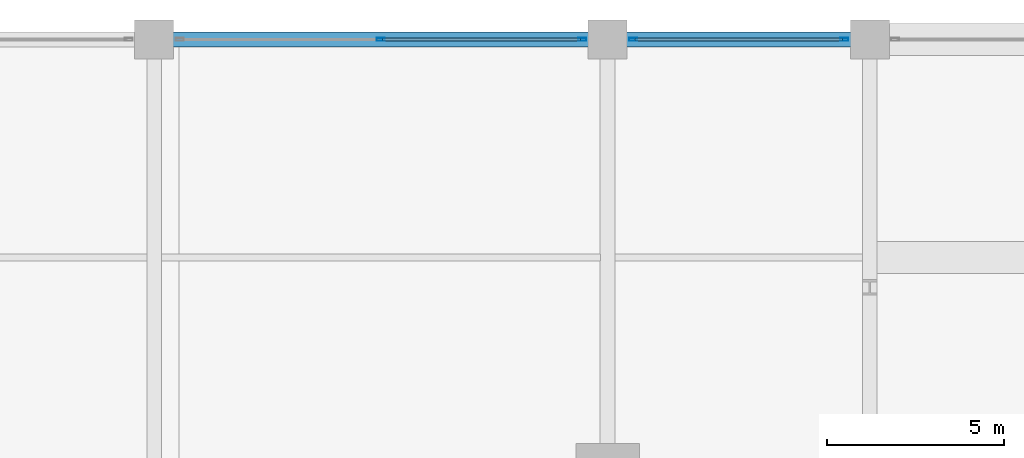
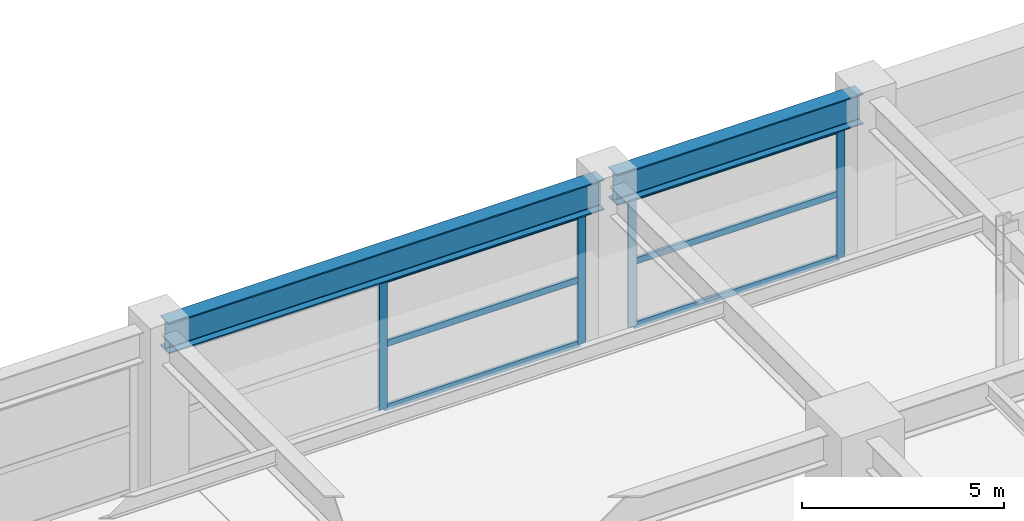
# One storey, part 14 of 35: 10 members, 2 beams, 2 elements without a shape of their own.
"""IFC4 building model written with IfcOpenShell, lengths in metres."""

import ifcopenshell
import ifcopenshell.guid

model = None  # the IFC model being written
_history = None  # IfcOwnerHistory: only IFC2X3 demands one
_inside = {}  # id of a spatial element -> (the spatial element, [elements in it])
_under = {}  # id of a project, library or spatial element -> (it, [spatial elements below it])
_declared = {}  # id of a project -> (the project, [libraries it declares])
_typed = {}  # id of a type object -> (the type object, [elements of that type])
_made_of = {}  # id of a material, layer set ... -> (it, [elements and type objects made of it])


def new_model(schema):
    """Start an empty IFC model of exactly this schema.

    Asked for "IFC4X3", IfcOpenShell would pick the latest addendum, in which some entities
    have other attributes; the version numbers below select the first issue.
    IFC2X3 requires an IfcOwnerHistory on every rooted entity: one is made here for all.
    """
    global model, _history
    if schema == "IFC4X3":
        model = ifcopenshell.file(schema_version=(4, 3, 0, 0))
    else:
        model = ifcopenshell.file(schema=schema)
    _inside.clear()
    _under.clear()
    _declared.clear()
    _typed.clear()
    _made_of.clear()
    _history = None
    if model.schema == "IFC2X3":
        org = make("IfcOrganization", Name="unknown")
        user = make(
            "IfcPersonAndOrganization",
            ThePerson=make("IfcPerson", FamilyName="unknown"),
            TheOrganization=org,
        )
        app = make(
            "IfcApplication",
            ApplicationDeveloper=org,
            Version="unknown",
            ApplicationFullName="unknown",
            ApplicationIdentifier="unknown",
        )
        _history = make(
            "IfcOwnerHistory",
            OwningUser=user,
            OwningApplication=app,
            ChangeAction="ADDED",
            CreationDate=0,
        )
    return model


def make(cls, **values):
    """One entity of the class cls with the attributes given. An attribute that is None is left unset."""
    return model.create_entity(
        cls, **{name: value for name, value in values.items() if value is not None}
    )


def rooted(cls, **values):
    """An entity with a GlobalId (a new one), such as an element, a storey or a relation."""
    return make(cls, GlobalId=ifcopenshell.guid.new(), OwnerHistory=_history, **values)


def si_unit(unit_type, name, prefix=None):
    """IfcSIUnit, for example si_unit("LENGTHUNIT", "METRE", prefix="MILLI")."""
    return make("IfcSIUnit", UnitType=unit_type, Prefix=prefix, Name=name)


def assignment(units):
    """IfcUnitAssignment: the units of a project."""
    return None if units is None else make("IfcUnitAssignment", Units=units)


def point(xyz):
    """IfcCartesianPoint."""
    return None if xyz is None else make("IfcCartesianPoint", Coordinates=xyz)


def direction(xyz):
    """IfcDirection."""
    return None if xyz is None else make("IfcDirection", DirectionRatios=xyz)


def frame(location, z_axis=None, x_axis=None):
    """IfcAxis2Placement3D, a coordinate frame: its origin and axes. An axis left out is left unset."""
    return make(
        "IfcAxis2Placement3D",
        Location=point(location),
        Axis=direction(z_axis),
        RefDirection=direction(x_axis),
    )


def frame_2d(location, x_axis=None):
    """IfcAxis2Placement2D, a coordinate frame in the plane: its origin and x axis."""
    return make(
        "IfcAxis2Placement2D", Location=point(location), RefDirection=direction(x_axis)
    )


def origin():
    """The frame at (0, 0, 0) with its axes left unset."""
    return frame((0.0, 0.0, 0.0))


def origin_2d():
    """The frame at (0, 0) in the plane with its x axis left unset."""
    return frame_2d((0.0, 0.0))


def place(relative_to, where):
    """IfcLocalPlacement: puts the frame where relative to a parent placement (None: the world)."""
    return make(
        "IfcLocalPlacement", PlacementRelTo=relative_to, RelativePlacement=where
    )


def context(
    kind, dimensions, precision=None, world=None, true_north=None, identifier=None
):
    """IfcGeometricRepresentationContext, for example the 3D "Model" context."""
    return make(
        "IfcGeometricRepresentationContext",
        ContextIdentifier=identifier,
        ContextType=kind,
        CoordinateSpaceDimension=dimensions,
        Precision=precision,
        WorldCoordinateSystem=world,
        TrueNorth=true_north,
    )


def subcontext(parent, identifier, kind, view, scale=None):
    """IfcGeometricRepresentationSubContext, for example "Body" below "Model"."""
    return make(
        "IfcGeometricRepresentationSubContext",
        ContextIdentifier=identifier,
        ContextType=kind,
        ParentContext=parent,
        TargetScale=scale,
        TargetView=view,
    )


def project(units=None, contexts=None):
    """IfcProject with its units and contexts."""
    return rooted(
        "IfcProject",
        Name="project",
        RepresentationContexts=contexts,
        UnitsInContext=assignment(units),
    )


def spatial(cls, under=None, at=None, **own):
    """A site, building, storey or space (cls), placed at a placement, below another one or the project."""
    s = rooted(cls, ObjectPlacement=at, **own)
    if under is not None:
        _under.setdefault(under.id(), (under, []))[1].append(s)
    return s


def profile(cls, at=None, kind="AREA", **sizes):
    """A parametric profile (cls). Its sizes go by their IFC names, for example OverallWidth=200.0."""
    return make(cls, ProfileType=kind, Position=at, **sizes)


def hollow_rectangle(**sizes):
    """IfcRectangleHollowProfileDef."""
    return profile("IfcRectangleHollowProfileDef", **sizes)


def i_section(**sizes):
    """IfcIShapeProfileDef."""
    return profile("IfcIShapeProfileDef", **sizes)


def extrude(swept, where, along, depth):
    """IfcExtrudedAreaSolid: the profile swept, set in the frame where, extruded along a direction by depth."""
    return make(
        "IfcExtrudedAreaSolid",
        SweptArea=swept,
        Position=where,
        ExtrudedDirection=direction(along),
        Depth=depth,
    )


def shape(context_of_items, identifier, shape_type, items):
    """IfcShapeRepresentation: the items that make up one representation, for example the "Body"."""
    return make(
        "IfcShapeRepresentation",
        ContextOfItems=context_of_items,
        RepresentationIdentifier=identifier,
        RepresentationType=shape_type,
        Items=items,
    )


def material(Name=None, Category=None):
    """IfcMaterial."""
    return make("IfcMaterial", Name=Name, Category=Category)


def material_profile(
    of_material, cross_section, Name=None, Category=None, Priority=None
):
    """IfcMaterialProfile: a cross section and its material."""
    return make(
        "IfcMaterialProfile",
        Name=Name,
        Material=of_material,
        Profile=cross_section,
        Priority=Priority,
        Category=Category,
    )


def profile_set(profiles, Name=None, composite=None):
    """IfcMaterialProfileSet."""
    return make(
        "IfcMaterialProfileSet",
        Name=Name,
        MaterialProfiles=profiles,
        CompositeProfile=composite,
    )


def made_of(thing, what):
    """Note that an element or type object is made of a material, layer set ...; save() writes the relation."""
    if what is not None:
        _made_of.setdefault(what.id(), (what, []))[1].append(thing)
    return thing


def type_object(cls, material=None, **own):
    """A type object (cls), such as IfcWallType, which elements share."""
    return made_of(rooted(cls, **own), material)


def element(
    cls,
    number,
    at=None,
    inside=None,
    cuts=None,
    type_object=None,
    material=None,
    context=None,
    identifier="Body",
    shape_type=None,
    held_by="IfcProductDefinitionShape",
    body=None,
    shapes=None,
    **own,
):
    """One element of the class cls, such as IfcWall. Its Tag is "e" and its number.

    at: its placement. inside: the storey or other place that contains it. cuts: it is an
    opening in that element (IfcRelVoidsElement). A single representation is given by context,
    identifier, shape_type and body (its items); several are given by shapes. held_by: the class
    of the entity that holds the representations. save() writes the other relations.
    """
    e = rooted(cls, Tag="e%d" % number, ObjectPlacement=at, **own)
    if body is not None:
        shapes = [shape(context, identifier, shape_type, body)]
    if shapes is not None:
        e.Representation = make(held_by, Representations=shapes)
    if inside is not None:
        _inside.setdefault(inside.id(), (inside, []))[1].append(e)
    if cuts is not None:
        rooted(
            "IfcRelVoidsElement", RelatingBuildingElement=cuts, RelatedOpeningElement=e
        )
    if type_object is not None:
        _typed.setdefault(type_object.id(), (type_object, []))[1].append(e)
    return made_of(e, material)


def aggregate(whole, parts):
    """IfcRelAggregates: a whole, such as a stair, and the parts it consists of."""
    return rooted("IfcRelAggregates", RelatingObject=whole, RelatedObjects=parts)


def save(model, path):
    """Write the relations noted so far, then the file.

    IfcRelAggregates (storeys below a building ...), IfcRelContainedInSpatialStructure (elements
    in a storey), IfcRelDefinesByType, IfcRelAssociatesMaterial and IfcRelDeclares: one each for
    every whole, place, type object, material and project.
    """
    for whole, parts in _under.values():
        aggregate(whole, parts)
    for where, things in _inside.values():
        rooted(
            "IfcRelContainedInSpatialStructure",
            RelatedElements=things,
            RelatingStructure=where,
        )
    for kind, things in _typed.values():
        rooted("IfcRelDefinesByType", RelatedObjects=things, RelatingType=kind)
    for what, things in _made_of.values():
        rooted("IfcRelAssociatesMaterial", RelatedObjects=things, RelatingMaterial=what)
    for by, libraries in _declared.values():
        rooted("IfcRelDeclares", RelatingContext=by, RelatedDefinitions=libraries)
    model.write(path)


model = new_model("IFC4")

# Units and contexts
model_context = context("Model", 3, precision=1e-05, world=origin(), true_north=direction((0.0, 1.0)))
body_context = subcontext(model_context, "Body", "Model", "MODEL_VIEW")
ifc_project = project(units=[si_unit("LENGTHUNIT", "METRE"), si_unit("AREAUNIT", "SQUARE_METRE"), si_unit("VOLUMEUNIT", "CUBIC_METRE"), si_unit("PLANEANGLEUNIT", "RADIAN"), si_unit("MASSUNIT", "GRAM", prefix="KILO")], contexts=[model_context])

# Site, building, storey
site_placement = place(None, origin())
site = spatial("IfcSite", under=ifc_project, at=site_placement, CompositionType="ELEMENT")
building_placement = place(site_placement, origin())
building = spatial("IfcBuilding", under=site, at=building_placement, Name="Kovane Verandah Tower", CompositionType="ELEMENT")
storey_placement = place(building_placement, frame((0.0, 0.0, 16.39990234375)))
storey = spatial("IfcBuildingStorey", under=building, at=storey_placement, Name="L03", CompositionType="ELEMENT", Elevation=16.39990234375)

# Beams
ifc_material_1 = material(Name="Steel S460", Category="steel")
ifc_material_profile_1 = material_profile(ifc_material_1, i_section(OverallWidth=0.42041015625, OverallDepth=0.9208984375, WebThickness=0.021484375, FlangeThickness=0.03662109375, FilletRadius=0.024169921875, at=origin_2d()), Name="UB914x419x388")
ifc_profile_set_1 = profile_set([ifc_material_profile_1], Name="Steel S460")
beam_type = type_object("IfcBeamType", Name="BM-UB914x388", PredefinedType="BEAM", material=ifc_profile_set_1)
beam_1_placement = place(storey_placement, frame((8.97998046875, 56.5, 4.439697265625), z_axis=(1.0, 0.0, 0.0), x_axis=(0.0, 1.0, 0.0)))
element("IfcBeam", 1, at=beam_1_placement, inside=storey, type_object=beam_type, Name="L03 Podium Garden Transfer Girder X18", PredefinedType="BEAM", context=body_context, shape_type="SweptSolid", body=[
    extrude(i_section(OverallWidth=0.42041015625, OverallDepth=0.9208984375, WebThickness=0.021484375, FlangeThickness=0.03662109375, FilletRadius=0.024169921875, at=origin_2d()), origin(), (0.0, 0.0, 1.0), 12.43994140625),
])
beam_2_placement = place(storey_placement, frame((21.780029296875, 56.5, 4.439697265625), z_axis=(1.0, 0.0, 0.0), x_axis=(0.0, 1.0, 0.0)))
element("IfcBeam", 2, at=beam_2_placement, inside=storey, type_object=beam_type, Name="L03 Podium Garden Transfer Girder X19", PredefinedType="BEAM", context=body_context, shape_type="SweptSolid", body=[
    extrude(i_section(OverallWidth=0.42041015625, OverallDepth=0.9208984375, WebThickness=0.021484375, FlangeThickness=0.03662109375, FilletRadius=0.024169921875, at=origin_2d()), origin(), (0.0, 0.0, 1.0), 7.0400390625),
])

# Curtain wall, members
ifc_material_2 = material(Name="Champagne Anodised Aluminium Frame with Low-E Clear Laminated Glass", Category="aluminium")
curtain_wall_type = type_object("IfcCurtainWallType", Name="CW-SYS-01-POD", PredefinedType="NOTDEFINED", material=ifc_material_2)
curtain_wall_1_placement = place(storey_placement, origin())
curtain_wall_1 = element("IfcCurtainWall", 3, at=curtain_wall_1_placement, inside=storey, type_object=curtain_wall_type, Name="L03 North Podium Curtain Wall Bay 2", PredefinedType="NOTDEFINED")
ifc_material_3 = material(Name="Champagne Anodised Aluminium 6063-T6", Category="aluminium")
ifc_material_profile_2 = material_profile(ifc_material_3, hollow_rectangle(XDim=0.0849609375, YDim=0.22998046875, WallThickness=0.00390625, at=origin_2d()), Name="AL85x230x4")
ifc_profile_set_2 = profile_set([ifc_material_profile_2], Name="Champagne Anodised Aluminium 6063-T6")
member_type_1 = type_object("IfcMemberType", Name="CW-MUL-85x230", PredefinedType="MULLION", material=ifc_profile_set_2)
member_1_placement = place(storey_placement, frame((20.8798828125, 56.5, 0.02001953125), z_axis=(0.0, 0.0, 1.0), x_axis=(0.0, 1.0, 0.0)))
member_1 = element("IfcMember", 4, at=member_1_placement, type_object=member_type_1, Name="L03 North Podium Curtain Wall Bay 2 Mullion 1", PredefinedType="MULLION", context=body_context, shape_type="SweptSolid", body=[
    extrude(hollow_rectangle(XDim=0.0849609375, YDim=0.22998046875, WallThickness=0.00390625, at=origin_2d()), origin(), (0.0, 0.0, 1.0), 3.919189453125),
])
member_2_placement = place(storey_placement, frame((15.199951171875, 56.5, 0.02001953125), z_axis=(0.0, 0.0, 1.0), x_axis=(0.0, 1.0, 0.0)))
member_2 = element("IfcMember", 5, at=member_2_placement, type_object=member_type_1, Name="L03 North Podium Curtain Wall Bay 2 Mullion 2", PredefinedType="MULLION", context=body_context, shape_type="SweptSolid", body=[
    extrude(hollow_rectangle(XDim=0.0849609375, YDim=0.22998046875, WallThickness=0.00390625, at=origin_2d()), origin(), (0.0, 0.0, 1.0), 3.919189453125),
])

curtain_wall_2_placement = place(storey_placement, origin())
curtain_wall_2 = element("IfcCurtainWall", 6, at=curtain_wall_2_placement, inside=storey, type_object=curtain_wall_type, Name="L03 North Podium Curtain Wall Bay 3", PredefinedType="NOTDEFINED")
member_3_placement = place(storey_placement, frame((28.280029296875, 56.5, 0.02001953125), z_axis=(0.0, 0.0, 1.0), x_axis=(0.0, 1.0, 0.0)))
member_3 = element("IfcMember", 7, at=member_3_placement, type_object=member_type_1, Name="L03 North Podium Curtain Wall Bay 3 Mullion 1", PredefinedType="MULLION", context=body_context, shape_type="SweptSolid", body=[
    extrude(hollow_rectangle(XDim=0.0849609375, YDim=0.22998046875, WallThickness=0.00390625, at=origin_2d()), origin(), (0.0, 0.0, 1.0), 3.919189453125),
])
member_4_placement = place(storey_placement, frame((22.320068359375, 56.5, 0.02001953125), z_axis=(0.0, 0.0, 1.0), x_axis=(0.0, 1.0, 0.0)))
member_4 = element("IfcMember", 8, at=member_4_placement, type_object=member_type_1, Name="L03 North Podium Curtain Wall Bay 3 Mullion 2", PredefinedType="MULLION", context=body_context, shape_type="SweptSolid", body=[
    extrude(hollow_rectangle(XDim=0.0849609375, YDim=0.22998046875, WallThickness=0.00390625, at=origin_2d()), origin(), (0.0, 0.0, 1.0), 3.919189453125),
])

# Member
ifc_material_profile_3 = material_profile(ifc_material_3, hollow_rectangle(XDim=0.0849609375, YDim=0.18994140625, WallThickness=0.00390625, at=origin_2d()), Name="AL85x190x4")
ifc_profile_set_3 = profile_set([ifc_material_profile_3], Name="Champagne Anodised Aluminium 6063-T6")
member_type_2 = type_object("IfcMemberType", Name="CW-TRN-85x190", PredefinedType="USERDEFINED", material=ifc_profile_set_3)
member_5_placement = place(storey_placement, frame((20.830078125, 56.5, 0.050048828125), z_axis=(-1.0, 0.0, 0.0), x_axis=(0.0, -1.0, 0.0)))
member_5 = element("IfcMember", 9, at=member_5_placement, type_object=member_type_2, Name="L03 North Podium Curtain Wall Bay 2 Transom TB Bay 1", ObjectType="TRANSOM", PredefinedType="USERDEFINED", context=body_context, shape_type="SweptSolid", body=[
    extrude(hollow_rectangle(XDim=0.0849609375, YDim=0.18994140625, WallThickness=0.00390625, at=origin_2d()), origin(), (0.0, 0.0, 1.0), 5.580078125),
])

member_6_placement = place(storey_placement, frame((20.830078125, 56.5, 1.9794921875), z_axis=(-1.0, 0.0, 0.0), x_axis=(0.0, -1.0, 0.0)))
member_6 = element("IfcMember", 10, at=member_6_placement, type_object=member_type_2, Name="L03 North Podium Curtain Wall Bay 2 Transom TM Bay 1", ObjectType="TRANSOM", PredefinedType="USERDEFINED", context=body_context, shape_type="SweptSolid", body=[
    extrude(hollow_rectangle(XDim=0.0849609375, YDim=0.18994140625, WallThickness=0.00390625, at=origin_2d()), origin(), (0.0, 0.0, 1.0), 5.580078125),
])

member_7_placement = place(storey_placement, frame((20.830078125, 56.5, 3.9091796875), z_axis=(-1.0, 0.0, 0.0), x_axis=(0.0, -1.0, 0.0)))
member_7 = element("IfcMember", 11, at=member_7_placement, type_object=member_type_2, Name="L03 North Podium Curtain Wall Bay 2 Transom TT Bay 1", ObjectType="TRANSOM", PredefinedType="USERDEFINED", context=body_context, shape_type="SweptSolid", body=[
    extrude(hollow_rectangle(XDim=0.0849609375, YDim=0.18994140625, WallThickness=0.00390625, at=origin_2d()), origin(), (0.0, 0.0, 1.0), 5.580078125),
])

aggregate(curtain_wall_1, [member_1, member_2, member_5, member_6, member_7])

member_8_placement = place(storey_placement, frame((28.22998046875, 56.5, 0.050048828125), z_axis=(-1.0, 0.0, 0.0), x_axis=(0.0, -1.0, 0.0)))
member_8 = element("IfcMember", 12, at=member_8_placement, type_object=member_type_2, Name="L03 North Podium Curtain Wall Bay 3 Transom TB Bay 1", ObjectType="TRANSOM", PredefinedType="USERDEFINED", context=body_context, shape_type="SweptSolid", body=[
    extrude(hollow_rectangle(XDim=0.0849609375, YDim=0.18994140625, WallThickness=0.00390625, at=origin_2d()), origin(), (0.0, 0.0, 1.0), 5.85986328125),
])

member_9_placement = place(storey_placement, frame((28.22998046875, 56.5, 1.9794921875), z_axis=(-1.0, 0.0, 0.0), x_axis=(0.0, -1.0, 0.0)))
member_9 = element("IfcMember", 13, at=member_9_placement, type_object=member_type_2, Name="L03 North Podium Curtain Wall Bay 3 Transom TM Bay 1", ObjectType="TRANSOM", PredefinedType="USERDEFINED", context=body_context, shape_type="SweptSolid", body=[
    extrude(hollow_rectangle(XDim=0.0849609375, YDim=0.18994140625, WallThickness=0.00390625, at=origin_2d()), origin(), (0.0, 0.0, 1.0), 5.85986328125),
])

member_10_placement = place(storey_placement, frame((28.22998046875, 56.5, 3.9091796875), z_axis=(-1.0, 0.0, 0.0), x_axis=(0.0, -1.0, 0.0)))
member_10 = element("IfcMember", 14, at=member_10_placement, type_object=member_type_2, Name="L03 North Podium Curtain Wall Bay 3 Transom TT Bay 1", ObjectType="TRANSOM", PredefinedType="USERDEFINED", context=body_context, shape_type="SweptSolid", body=[
    extrude(hollow_rectangle(XDim=0.0849609375, YDim=0.18994140625, WallThickness=0.00390625, at=origin_2d()), origin(), (0.0, 0.0, 1.0), 5.85986328125),
])

aggregate(curtain_wall_2, [member_3, member_4, member_8, member_9, member_10])

save(model, "model.ifc")
